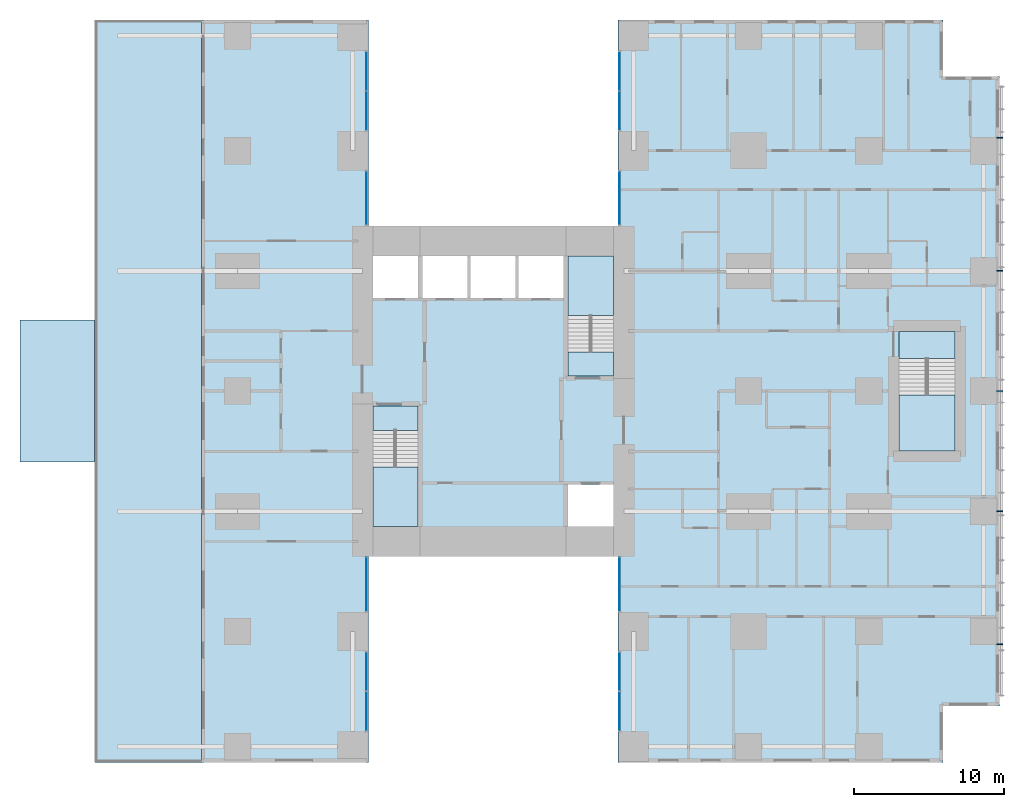
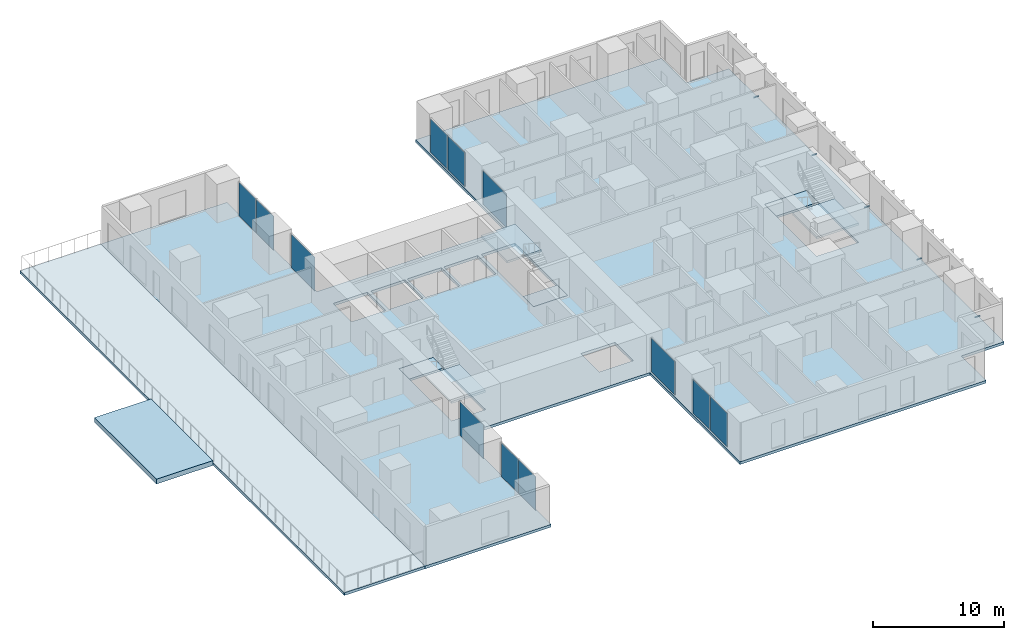
# One storey, part 6 of 15: 12 plates, 9 slabs, 5 members, 11 elements without a shape of their own.
"""IFC4 building model written with IfcOpenShell, lengths in metres."""

from ifc_helpers import new_model, si_unit, direction, frame, origin, origin_2d, place, context, subcontext, project, spatial, polyline, rectangle, hollow_rectangle, outline, extrude, material, layer, layer_set, material_profile, profile_set, type_object, element, aggregate, save


model = new_model("IFC4")

# Units and contexts
model_context = context("Model", 3, precision=1e-05, world=origin(), true_north=direction((0.0, 1.0)))
body_context = subcontext(model_context, "Body", "Model", "MODEL_VIEW")
ifc_project = project(units=[si_unit("LENGTHUNIT", "METRE"), si_unit("AREAUNIT", "SQUARE_METRE"), si_unit("VOLUMEUNIT", "CUBIC_METRE"), si_unit("PLANEANGLEUNIT", "RADIAN"), si_unit("MASSUNIT", "GRAM", prefix="KILO")], contexts=[model_context])

# Site, building, storey
site_placement = place(None, origin())
site = spatial("IfcSite", under=ifc_project, at=site_placement, CompositionType="ELEMENT")
building_placement = place(site_placement, origin())
building = spatial("IfcBuilding", under=site, at=building_placement, Name="Cleftline Residences", CompositionType="ELEMENT")
storey_placement = place(building_placement, frame((0.0, 0.0, 221.800048828125)))
storey = spatial("IfcBuildingStorey", under=building, at=storey_placement, Name="L58", CompositionType="ELEMENT", Elevation=221.800048828125)

# Members
ifc_material_1 = material(Name="Steel S355, hot-dip galvanised", Category="steel")
ifc_material_profile = material_profile(ifc_material_1, hollow_rectangle(XDim=0.10009765625, YDim=0.10009765625, WallThickness=0.008056640625, InnerFilletRadius=0.008056640625, OuterFilletRadius=0.011962890625, at=origin_2d()))
ifc_profile_set = profile_set([ifc_material_profile], Name="Steel S355, hot-dip galvanised")
member_type = type_object("IfcMemberType", Name="BAGUETTE BRACKET SHS 100X100X8", PredefinedType="USERDEFINED", material=ifc_profile_set)
for number, where, z_axis, x_axis, name in (
    (1, (66.5, 7.14990234375, -0.150146484375), (1.0, 0.0, 0.0), (0.0, 1.0, 0.0), "Baguette bracket"),
    (2, (66.5, 16.0, -0.150146484375), (1.0, 0.0, 0.0), (0.0, 1.0, 0.0), "Baguette bracket"),
    (3, (66.5, 24.0, -0.150146484375), (1.0, 0.0, 0.0), (0.0, 1.0, 0.0), "Baguette bracket"),
    (4, (66.5, 32.0, -0.150146484375), (1.0, 0.0, 0.0), (0.0, 1.0, 0.0), "Baguette bracket"),
    (5, (66.5, 40.85009765625, -0.150146484375), (1.0, 0.0, 0.0), (0.0, 1.0, 0.0), "Baguette bracket"),
):
    element("IfcMember", number, at=place(storey_placement, frame(where, z_axis=z_axis, x_axis=x_axis)), inside=storey, type_object=member_type, Name=name, ObjectType="BAGUETTE BRACKET", PredefinedType="USERDEFINED", context=body_context, shape_type="SweptSolid", body=[
        extrude(hollow_rectangle(XDim=0.10009765625, YDim=0.10009765625, WallThickness=0.008056640625, InnerFilletRadius=0.008056640625, OuterFilletRadius=0.011962890625, at=origin_2d()), origin(), (0.0, 0.0, 1.0), 0.449951171875),
    ])

# Curtain wall, plates
ifc_material_2 = material(Name="Aluminium framed curtain wall", Category="aluminium")
ifc_layer_1 = layer(ifc_material_2, 0.199951171875)
ifc_layer_set_1 = layer_set([ifc_layer_1], Name="CW1 CLEFT GLAZING")
curtain_wall_type = type_object("IfcCurtainWallType", Name="CW1 CLEFT GLAZING", PredefinedType="NOTDEFINED", material=ifc_layer_set_1)
curtain_wall_1_placement = place(storey_placement, origin())
curtain_wall_1 = element("IfcCurtainWall", 6, at=curtain_wall_1_placement, inside=storey, type_object=curtain_wall_type, Name="Curtain wall CW1", PredefinedType="NOTDEFINED")
ifc_material_3 = material(Name="Laminated clear glass", Category="glass")
ifc_layer_2 = layer(ifc_material_3, 0.028076171875)
ifc_layer_set_2 = layer_set([ifc_layer_2], Name="CW1 GLASS PANEL")
plate_type_1 = type_object("IfcPlateType", Name="CW1 GLASS PANEL", PredefinedType="CURTAIN_PANEL", material=ifc_layer_set_2)
plate_1_placement = place(storey_placement, frame((24.574951171875, 2.702392578125, 0.06005859375), z_axis=(0.0, 0.0, 1.0), x_axis=(0.0, 1.0, 0.0)))
plate_1 = element("IfcPlate", 7, at=plate_1_placement, type_object=plate_type_1, Name="CW1 panel 1.1", PredefinedType="CURTAIN_PANEL", context=body_context, shape_type="SweptSolid", body=[
    extrude(rectangle(XDim=2.5849609375, YDim=0.028076171875, at=origin_2d()), origin(), (0.0, 0.0, 1.0), 3.1298828125),
])
plate_2_placement = place(storey_placement, frame((24.574951171875, 5.347412109375, 0.06005859375), z_axis=(0.0, 0.0, 1.0), x_axis=(0.0, 1.0, 0.0)))
plate_2 = element("IfcPlate", 8, at=plate_2_placement, type_object=plate_type_1, Name="CW1 panel 2.1", PredefinedType="CURTAIN_PANEL", context=body_context, shape_type="SweptSolid", body=[
    extrude(rectangle(XDim=2.5849609375, YDim=0.028076171875, at=origin_2d()), origin(), (0.0, 0.0, 1.0), 3.1298828125),
])
aggregate(curtain_wall_1, [plate_1, plate_2])

# Curtain wall, plate
curtain_wall_2_placement = place(storey_placement, origin())
curtain_wall_2 = element("IfcCurtainWall", 9, at=curtain_wall_2_placement, inside=storey, type_object=curtain_wall_type, Name="Curtain wall CW1", PredefinedType="NOTDEFINED")
plate_3_placement = place(storey_placement, frame((24.574951171875, 11.14990234375, 0.06005859375), z_axis=(0.0, 0.0, 1.0), x_axis=(0.0, 1.0, 0.0)))
plate_3 = element("IfcPlate", 10, at=plate_3_placement, type_object=plate_type_1, Name="CW1 panel 1.1", PredefinedType="CURTAIN_PANEL", context=body_context, shape_type="SweptSolid", body=[
    extrude(rectangle(XDim=3.580078125, YDim=0.028076171875, at=origin_2d()), origin(), (0.0, 0.0, 1.0), 3.1298828125),
])
aggregate(curtain_wall_2, [plate_3])

curtain_wall_3_placement = place(storey_placement, origin())
curtain_wall_3 = element("IfcCurtainWall", 11, at=curtain_wall_3_placement, inside=storey, type_object=curtain_wall_type, Name="Curtain wall CW1", PredefinedType="NOTDEFINED")
plate_4_placement = place(storey_placement, frame((41.425048828125, 5.347412109375, 0.06005859375), z_axis=(0.0, 0.0, 1.0), x_axis=(0.0, -1.0, 0.0)))
plate_4 = element("IfcPlate", 12, at=plate_4_placement, type_object=plate_type_1, Name="CW1 panel 1.1", PredefinedType="CURTAIN_PANEL", context=body_context, shape_type="SweptSolid", body=[
    extrude(rectangle(XDim=2.5849609375, YDim=0.028076171875, at=origin_2d()), origin(), (0.0, 0.0, 1.0), 3.1298828125),
])

curtain_wall_4_placement = place(storey_placement, origin())
curtain_wall_4 = element("IfcCurtainWall", 13, at=curtain_wall_4_placement, inside=storey, type_object=curtain_wall_type, Name="Curtain wall CW1", PredefinedType="NOTDEFINED")
plate_5_placement = place(storey_placement, frame((41.425048828125, 45.297607421875, 0.06005859375), z_axis=(0.0, 0.0, 1.0), x_axis=(0.0, -1.0, 0.0)))
plate_5 = element("IfcPlate", 14, at=plate_5_placement, type_object=plate_type_1, Name="CW1 panel 1.1", PredefinedType="CURTAIN_PANEL", context=body_context, shape_type="SweptSolid", body=[
    extrude(rectangle(XDim=2.5849609375, YDim=0.028076171875, at=origin_2d()), origin(), (0.0, 0.0, 1.0), 3.1298828125),
])

curtain_wall_5_placement = place(storey_placement, origin())
curtain_wall_5 = element("IfcCurtainWall", 15, at=curtain_wall_5_placement, inside=storey, type_object=curtain_wall_type, Name="Curtain wall CW1", PredefinedType="NOTDEFINED")
plate_6_placement = place(storey_placement, frame((24.574951171875, 36.85009765625, 0.06005859375), z_axis=(0.0, 0.0, 1.0), x_axis=(0.0, 1.0, 0.0)))
plate_6 = element("IfcPlate", 16, at=plate_6_placement, type_object=plate_type_1, Name="CW1 panel 1.1", PredefinedType="CURTAIN_PANEL", context=body_context, shape_type="SweptSolid", body=[
    extrude(rectangle(XDim=3.580078125, YDim=0.028076171875, at=origin_2d()), origin(), (0.0, 0.0, 1.0), 3.1298828125),
])
aggregate(curtain_wall_5, [plate_6])

# Curtain wall, plates
curtain_wall_6_placement = place(storey_placement, origin())
curtain_wall_6 = element("IfcCurtainWall", 17, at=curtain_wall_6_placement, inside=storey, type_object=curtain_wall_type, Name="Curtain wall CW1", PredefinedType="NOTDEFINED")
plate_7_placement = place(storey_placement, frame((24.574951171875, 42.652587890625, 0.06005859375), z_axis=(0.0, 0.0, 1.0), x_axis=(0.0, 1.0, 0.0)))
plate_7 = element("IfcPlate", 18, at=plate_7_placement, type_object=plate_type_1, Name="CW1 panel 1.1", PredefinedType="CURTAIN_PANEL", context=body_context, shape_type="SweptSolid", body=[
    extrude(rectangle(XDim=2.5849609375, YDim=0.028076171875, at=origin_2d()), origin(), (0.0, 0.0, 1.0), 3.1298828125),
])
plate_8_placement = place(storey_placement, frame((24.574951171875, 45.297607421875, 0.06005859375), z_axis=(0.0, 0.0, 1.0), x_axis=(0.0, 1.0, 0.0)))
plate_8 = element("IfcPlate", 19, at=plate_8_placement, type_object=plate_type_1, Name="CW1 panel 2.1", PredefinedType="CURTAIN_PANEL", context=body_context, shape_type="SweptSolid", body=[
    extrude(rectangle(XDim=2.5849609375, YDim=0.028076171875, at=origin_2d()), origin(), (0.0, 0.0, 1.0), 3.1298828125),
])
aggregate(curtain_wall_6, [plate_7, plate_8])

# Curtain wall, plate
curtain_wall_7_placement = place(storey_placement, origin())
curtain_wall_7 = element("IfcCurtainWall", 20, at=curtain_wall_7_placement, inside=storey, type_object=curtain_wall_type, Name="Curtain wall CW1", PredefinedType="NOTDEFINED")
ifc_material_4 = material(Name="Insulated aluminium panel", Category="aluminium")
ifc_layer_3 = layer(ifc_material_4, 0.028076171875)
ifc_layer_set_3 = layer_set([ifc_layer_3], Name="CW1 INSULATED PANEL")
plate_type_2 = type_object("IfcPlateType", Name="CW1 INSULATED PANEL", PredefinedType="USERDEFINED", material=ifc_layer_set_3)
plate_9_placement = place(storey_placement, frame((41.425048828125, 11.14990234375, 0.06005859375), z_axis=(0.0, 0.0, 1.0), x_axis=(0.0, -1.0, 0.0)))
plate_9 = element("IfcPlate", 21, at=plate_9_placement, type_object=plate_type_2, Name="CW1 panel 1.1", ObjectType="INSULATED PANEL", PredefinedType="USERDEFINED", context=body_context, shape_type="SweptSolid", body=[
    extrude(rectangle(XDim=3.580078125, YDim=0.028076171875, at=origin_2d()), origin(), (0.0, 0.0, 1.0), 3.1298828125),
])
aggregate(curtain_wall_7, [plate_9])

# Plate
plate_10_placement = place(storey_placement, frame((41.425048828125, 2.702392578125, 0.06005859375), z_axis=(0.0, 0.0, 1.0), x_axis=(0.0, -1.0, 0.0)))
plate_10 = element("IfcPlate", 22, at=plate_10_placement, type_object=plate_type_2, Name="CW1 panel 2.1", ObjectType="INSULATED PANEL", PredefinedType="USERDEFINED", context=body_context, shape_type="SweptSolid", body=[
    extrude(rectangle(XDim=2.5849609375, YDim=0.028076171875, at=origin_2d()), origin(), (0.0, 0.0, 1.0), 3.1298828125),
])

aggregate(curtain_wall_3, [plate_4, plate_10])

plate_11_placement = place(storey_placement, frame((41.425048828125, 42.652587890625, 0.06005859375), z_axis=(0.0, 0.0, 1.0), x_axis=(0.0, -1.0, 0.0)))
plate_11 = element("IfcPlate", 23, at=plate_11_placement, type_object=plate_type_2, Name="CW1 panel 2.1", ObjectType="INSULATED PANEL", PredefinedType="USERDEFINED", context=body_context, shape_type="SweptSolid", body=[
    extrude(rectangle(XDim=2.5849609375, YDim=0.028076171875, at=origin_2d()), origin(), (0.0, 0.0, 1.0), 3.1298828125),
])

aggregate(curtain_wall_4, [plate_5, plate_11])

# Curtain wall, plate
curtain_wall_8_placement = place(storey_placement, origin())
curtain_wall_8 = element("IfcCurtainWall", 24, at=curtain_wall_8_placement, inside=storey, type_object=curtain_wall_type, Name="Curtain wall CW1", PredefinedType="NOTDEFINED")
plate_12_placement = place(storey_placement, frame((41.425048828125, 36.85009765625, 0.06005859375), z_axis=(0.0, 0.0, 1.0), x_axis=(0.0, -1.0, 0.0)))
plate_12 = element("IfcPlate", 25, at=plate_12_placement, type_object=plate_type_2, Name="CW1 panel 1.1", ObjectType="INSULATED PANEL", PredefinedType="USERDEFINED", context=body_context, shape_type="SweptSolid", body=[
    extrude(rectangle(XDim=3.580078125, YDim=0.028076171875, at=origin_2d()), origin(), (0.0, 0.0, 1.0), 3.1298828125),
])
aggregate(curtain_wall_8, [plate_12])

# Slabs
ifc_material_5 = material(Name="Concrete B45", Category="concrete")
ifc_layer_4 = layer(ifc_material_5, 0.25)
ifc_layer_set_4 = layer_set([ifc_layer_4], Name="FLOOR SLAB 250")
slab_type_1 = type_object("IfcSlabType", Name="FLOOR SLAB 250", PredefinedType="FLOOR", material=ifc_layer_set_4)
slab_1_placement = place(storey_placement, frame((0.0, 0.0, -0.25)))
element("IfcSlab", 26, at=slab_1_placement, inside=storey, type_object=slab_type_1, Name="Floor slab L58", PredefinedType="FLOOR", context=body_context, shape_type="SweptSolid", body=[
    extrude(outline(polyline([(24.699951171875, 13.0), (41.300048828125, 13.0), (41.300048828125, -0.699951171875), (62.949951171875, -0.699951171875), (62.949951171875, 3.050048828125), (66.699951171875, 3.050048828125), (66.699951171875, 44.949951171875), (62.949951171875, 44.949951171875), (62.949951171875, 48.699951171875), (41.300048828125, 48.699951171875), (41.300048828125, 35.0), (24.699951171875, 35.0), (24.699951171875, 48.699951171875), (13.60009765625, 48.699951171875), (13.60009765625, -0.699951171875), (24.699951171875, -0.699951171875), (24.699951171875, 13.0)]), holes=[polyline([(28.0, 15.0), (28.0, 23.0), (25.0, 23.0), (25.0, 15.0), (28.0, 15.0)]), polyline([(41.0, 25.0), (41.0, 33.0), (38.0, 33.0), (38.0, 25.0), (41.0, 25.0)]), polyline([(28.0, 30.199951171875), (28.0, 33.0), (25.0, 33.0), (25.0, 30.199951171875), (28.0, 30.199951171875)]), polyline([(41.0, 15.0), (41.0, 17.800048828125), (38.0, 17.800048828125), (38.0, 15.0), (41.0, 15.0)]), polyline([(31.300048828125, 30.199951171875), (31.300048828125, 33.0), (28.300048828125, 33.0), (28.300048828125, 30.199951171875), (31.300048828125, 30.199951171875)]), polyline([(34.5, 30.199951171875), (34.5, 33.0), (31.5, 33.0), (31.5, 30.199951171875), (34.5, 30.199951171875)]), polyline([(37.699951171875, 30.199951171875), (37.699951171875, 33.0), (34.699951171875, 33.0), (34.699951171875, 30.199951171875), (37.699951171875, 30.199951171875)]), polyline([(63.72509765625, 20.02490234375), (63.72509765625, 27.97509765625), (60.02490234375, 27.97509765625), (60.02490234375, 20.02490234375), (63.72509765625, 20.02490234375)])]), origin(), (0.0, 0.0, 1.0), 0.25),
])
ifc_material_6 = material(Name="Concrete B45", Category="concrete")
ifc_layer_5 = layer(ifc_material_6, 0.449951171875)
ifc_layer_set_5 = layer_set([ifc_layer_5], Name="STAIR HOUSE ROOF SLAB 450")
slab_type_2 = type_object("IfcSlabType", Name="STAIR HOUSE ROOF SLAB 450", PredefinedType="ROOF", material=ifc_layer_set_5)
slab_2_placement = place(storey_placement, frame((0.0, 0.0, -0.25)))
element("IfcSlab", 27, at=slab_2_placement, inside=storey, type_object=slab_type_2, Name="Stair W roof", PredefinedType="ROOF", context=body_context, shape_type="SweptSolid", body=[
    extrude(outline(polyline([(6.47998046875, 19.27490234375), (6.48095703125, 19.27490234375), (6.48193359375, 19.275146484375), (6.48291015625, 19.275390625), (6.48388671875, 19.27587890625), (6.484619140625, 19.276123046875), (6.485595703125, 19.276611328125), (6.486328125, 19.27734375), (6.487060546875, 19.27783203125), (6.48779296875, 19.27880859375), (6.48828125, 19.279296875), (6.48876953125, 19.2802734375), (6.4892578125, 19.28125), (6.489501953125, 19.281982421875), (6.48974609375, 19.282958984375), (6.489990234375, 19.283935546875), (6.489990234375, 19.284912109375), (6.489990234375, 28.715087890625), (6.489990234375, 28.716064453125), (6.48974609375, 28.717041015625), (6.489501953125, 28.718017578125), (6.4892578125, 28.71875), (6.48876953125, 28.7197265625), (6.48828125, 28.720703125), (6.48779296875, 28.72119140625), (6.487060546875, 28.72216796875), (6.486328125, 28.72265625), (6.485595703125, 28.723388671875), (6.484619140625, 28.723876953125), (6.48388671875, 28.72412109375), (6.48291015625, 28.724609375), (6.48193359375, 28.724853515625), (6.48095703125, 28.72509765625), (6.47998046875, 28.72509765625), (1.534912109375, 28.72509765625), (1.533935546875, 28.72509765625), (1.532958984375, 28.724853515625), (1.531982421875, 28.724609375), (1.53125, 28.72412109375), (1.5302734375, 28.723876953125), (1.529296875, 28.723388671875), (1.52880859375, 28.72265625), (1.52783203125, 28.72216796875), (1.52734375, 28.72119140625), (1.526611328125, 28.720703125), (1.526123046875, 28.7197265625), (1.52587890625, 28.71875), (1.525390625, 28.718017578125), (1.525146484375, 28.717041015625), (1.52490234375, 28.716064453125), (1.52490234375, 28.715087890625), (1.52490234375, 19.284912109375), (1.52490234375, 19.283935546875), (1.525146484375, 19.282958984375), (1.525390625, 19.281982421875), (1.52587890625, 19.28125), (1.526123046875, 19.2802734375), (1.526611328125, 19.279296875), (1.52734375, 19.27880859375), (1.52783203125, 19.27783203125), (1.52880859375, 19.27734375), (1.529296875, 19.276611328125), (1.5302734375, 19.276123046875), (1.53125, 19.27587890625), (1.531982421875, 19.275390625), (1.532958984375, 19.275146484375), (1.533935546875, 19.27490234375), (1.534912109375, 19.27490234375), (6.47998046875, 19.27490234375)])), origin(), (0.0, 0.0, 1.0), 0.449951171875),
])

# Stair, slabs
ifc_material_7 = material(Name="Concrete B45, stone treads", Category="masonry")
stair_type_1 = type_object("IfcStairType", Name="STAIR A 1450 WIDE 180 RISER", PredefinedType="HALF_TURN_STAIR", material=ifc_material_7)
stair_1_placement = place(storey_placement, origin())
stair_1 = element("IfcStair", 28, at=stair_1_placement, inside=storey, type_object=stair_type_1, Name="Stair A L58", PredefinedType="HALF_TURN_STAIR")
ifc_material_8 = material(Name="Concrete B45", Category="concrete")
ifc_layer_6 = layer(ifc_material_8, 0.199951171875)
ifc_layer_set_6 = layer_set([ifc_layer_6], Name="STAIR LANDING 200")
slab_type_3 = type_object("IfcSlabType", Name="STAIR LANDING 200", PredefinedType="LANDING", material=ifc_layer_set_6)
slab_3_placement = place(storey_placement, frame((0.0, 0.0, -0.199951171875)))
slab_3 = element("IfcSlab", 29, at=slab_3_placement, type_object=slab_type_3, Name="ST-A landing 1", PredefinedType="LANDING", context=body_context, shape_type="SweptSolid", body=[
    extrude(outline(polyline([(25.0, 21.39990234375), (28.0, 21.39990234375), (28.0, 23.0), (25.0, 23.0), (25.0, 21.39990234375)])), origin(), (0.0, 0.0, 1.0), 0.199951171875),
])
slab_4_placement = place(storey_placement, frame((0.0, 0.0, 1.599853515625)))
slab_4 = element("IfcSlab", 30, at=slab_4_placement, type_object=slab_type_3, Name="ST-A landing 2", PredefinedType="LANDING", context=body_context, shape_type="SweptSolid", body=[
    extrude(outline(polyline([(25.0, 15.0), (28.0, 15.0), (28.0, 18.969970703125), (25.0, 18.969970703125), (25.0, 15.0)])), origin(), (0.0, 0.0, 1.0), 0.2001953125),
])
aggregate(stair_1, [slab_3, slab_4])

ifc_material_9 = material(Name="Concrete B45, stone treads", Category="masonry")
stair_type_2 = type_object("IfcStairType", Name="STAIR B 1450 WIDE 180 RISER", PredefinedType="HALF_TURN_STAIR", material=ifc_material_9)
stair_2_placement = place(storey_placement, origin())
stair_2 = element("IfcStair", 31, at=stair_2_placement, inside=storey, type_object=stair_type_2, Name="Stair B L58", PredefinedType="HALF_TURN_STAIR")
slab_5_placement = place(storey_placement, frame((0.0, 0.0, -0.199951171875)))
slab_5 = element("IfcSlab", 32, at=slab_5_placement, type_object=slab_type_3, Name="ST-B landing 1", PredefinedType="LANDING", context=body_context, shape_type="SweptSolid", body=[
    extrude(outline(polyline([(38.0, 25.0), (41.0, 25.0), (41.0, 26.60009765625), (38.0, 26.60009765625), (38.0, 25.0)])), origin(), (0.0, 0.0, 1.0), 0.199951171875),
])
slab_6_placement = place(storey_placement, frame((0.0, 0.0, 1.599853515625)))
slab_6 = element("IfcSlab", 33, at=slab_6_placement, type_object=slab_type_3, Name="ST-B landing 2", PredefinedType="LANDING", context=body_context, shape_type="SweptSolid", body=[
    extrude(outline(polyline([(38.0, 29.030029296875), (41.0, 29.030029296875), (41.0, 33.0), (38.0, 33.0), (38.0, 29.030029296875)])), origin(), (0.0, 0.0, 1.0), 0.2001953125),
])
aggregate(stair_2, [slab_5, slab_6])

ifc_material_10 = material(Name="Concrete B45, stone treads", Category="masonry")
stair_type_3 = type_object("IfcStairType", Name="STAIR E 1800 WIDE 180 RISER", PredefinedType="HALF_TURN_STAIR", material=ifc_material_10)
stair_3_placement = place(storey_placement, origin())
stair_3 = element("IfcStair", 34, at=stair_3_placement, inside=storey, type_object=stair_type_3, Name="Stair E L58", PredefinedType="HALF_TURN_STAIR")
slab_7_placement = place(storey_placement, frame((0.0, 0.0, -0.199951171875)))
slab_7 = element("IfcSlab", 35, at=slab_7_placement, type_object=slab_type_3, Name="ST-E landing 1", PredefinedType="LANDING", context=body_context, shape_type="SweptSolid", body=[
    extrude(outline(polyline([(60.02490234375, 26.175048828125), (63.72509765625, 26.175048828125), (63.72509765625, 27.97509765625), (60.02490234375, 27.97509765625), (60.02490234375, 26.175048828125)])), origin(), (0.0, 0.0, 1.0), 0.199951171875),
])
slab_8_placement = place(storey_placement, frame((0.0, 0.0, 1.599853515625)))
slab_8 = element("IfcSlab", 36, at=slab_8_placement, type_object=slab_type_3, Name="ST-E landing 2", PredefinedType="LANDING", context=body_context, shape_type="SweptSolid", body=[
    extrude(outline(polyline([(60.02490234375, 20.02490234375), (63.72509765625, 20.02490234375), (63.72509765625, 23.7451171875), (60.02490234375, 23.7451171875), (60.02490234375, 20.02490234375)])), origin(), (0.0, 0.0, 1.0), 0.2001953125),
])
aggregate(stair_3, [slab_7, slab_8])

# Slab
ifc_material_11 = material(Name="Concrete B45", Category="concrete")
ifc_layer_7 = layer(ifc_material_11, 0.25)
ifc_layer_set_7 = layer_set([ifc_layer_7], Name="TERRACE SLAB 250")
slab_type_4 = type_object("IfcSlabType", Name="TERRACE SLAB 250", PredefinedType="FLOOR", material=ifc_layer_set_7)
slab_9_placement = place(storey_placement, frame((0.0, 0.0, -0.25)))
element("IfcSlab", 37, at=slab_9_placement, inside=storey, type_object=slab_type_4, Name="Terrace slab L58 1", PredefinedType="FLOOR", context=body_context, shape_type="SweptSolid", body=[
    extrude(outline(polyline([(13.590087890625, -0.699951171875), (13.591064453125, -0.699951171875), (13.592041015625, -0.69970703125), (13.593017578125, -0.69970703125), (13.59375, -0.69921875), (13.5947265625, -0.69873046875), (13.595703125, -0.6982421875), (13.59619140625, -0.69775390625), (13.59716796875, -0.697021484375), (13.59765625, -0.6962890625), (13.598388671875, -0.695556640625), (13.598876953125, -0.694580078125), (13.59912109375, -0.69384765625), (13.599609375, -0.69287109375), (13.599853515625, -0.69189453125), (13.60009765625, -0.69091796875), (13.60009765625, -0.68994140625), (13.60009765625, 48.68994140625), (13.60009765625, 48.69091796875), (13.599853515625, 48.69189453125), (13.599609375, 48.69287109375), (13.59912109375, 48.69384765625), (13.598876953125, 48.694580078125), (13.598388671875, 48.695556640625), (13.59765625, 48.6962890625), (13.59716796875, 48.697021484375), (13.59619140625, 48.69775390625), (13.595703125, 48.6982421875), (13.5947265625, 48.69873046875), (13.59375, 48.69921875), (13.593017578125, 48.69970703125), (13.592041015625, 48.69970703125), (13.591064453125, 48.699951171875), (13.590087890625, 48.699951171875), (6.510009765625, 48.699951171875), (6.509033203125, 48.699951171875), (6.508056640625, 48.69970703125), (6.507080078125, 48.69970703125), (6.506103515625, 48.69921875), (6.50537109375, 48.69873046875), (6.50439453125, 48.6982421875), (6.503662109375, 48.69775390625), (6.5029296875, 48.697021484375), (6.502197265625, 48.6962890625), (6.501708984375, 48.695556640625), (6.501220703125, 48.694580078125), (6.500732421875, 48.69384765625), (6.50048828125, 48.69287109375), (6.500244140625, 48.69189453125), (6.5, 48.69091796875), (6.5, 48.68994140625), (6.5, -0.68994140625), (6.5, -0.69091796875), (6.500244140625, -0.69189453125), (6.50048828125, -0.69287109375), (6.500732421875, -0.69384765625), (6.501220703125, -0.694580078125), (6.501708984375, -0.695556640625), (6.502197265625, -0.6962890625), (6.5029296875, -0.697021484375), (6.503662109375, -0.69775390625), (6.50439453125, -0.6982421875), (6.50537109375, -0.69873046875), (6.506103515625, -0.69921875), (6.507080078125, -0.69970703125), (6.508056640625, -0.69970703125), (6.509033203125, -0.699951171875), (6.510009765625, -0.699951171875), (13.590087890625, -0.699951171875)])), origin(), (0.0, 0.0, 1.0), 0.25),
])

save(model, "model.ifc")
